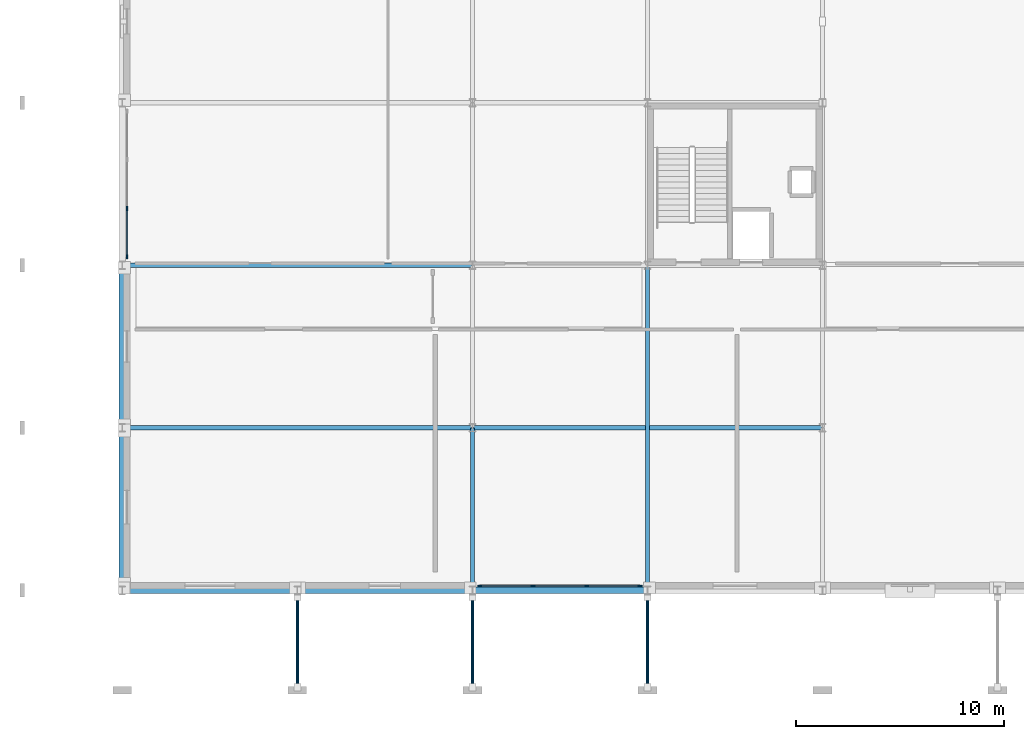
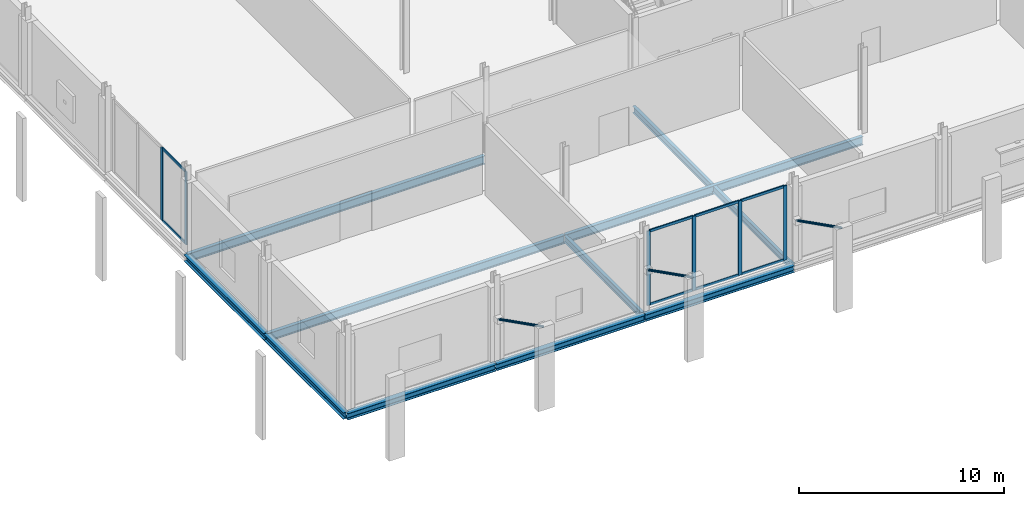
# One storey, part 27 of 105: 17 members, 10 beams, 2 elements without a shape of their own.
"""IFC4 building model written with IfcOpenShell, lengths in metres."""

from ifc_helpers import new_model, si_unit, direction, frame, origin, origin_2d, place, context, subcontext, project, spatial, rectangle, hollow_circle, i_section, extrude, material, material_profile, profile_set, type_object, element, aggregate, save


model = new_model("IFC4")

# Units and contexts
model_context = context("Model", 3, precision=1e-05, world=origin(), true_north=direction((0.0, 1.0)))
body_context = subcontext(model_context, "Body", "Model", "MODEL_VIEW")
ifc_project = project(units=[si_unit("LENGTHUNIT", "METRE"), si_unit("AREAUNIT", "SQUARE_METRE"), si_unit("VOLUMEUNIT", "CUBIC_METRE"), si_unit("PLANEANGLEUNIT", "RADIAN"), si_unit("MASSUNIT", "GRAM", prefix="KILO")], contexts=[model_context])

# Site, building, storey
site_placement = place(None, origin())
site = spatial("IfcSite", under=ifc_project, at=site_placement, CompositionType="ELEMENT")
building_placement = place(site_placement, origin())
building = spatial("IfcBuilding", under=site, at=building_placement, Name="Nabrawat Pavilion Hospital", CompositionType="ELEMENT")
storey_placement = place(building_placement, frame((0.0, 0.0, 5.10009765625)))
storey = spatial("IfcBuildingStorey", under=building, at=storey_placement, Name="L01", CompositionType="ELEMENT", Elevation=5.10009765625)

# Members
ifc_material_1 = material(Name="Steel S355", Category="steel")
ifc_material_profile_1 = material_profile(ifc_material_1, hollow_circle(Radius=0.06982421875, WallThickness=0.008056640625, at=origin_2d()), Name="CHS 139.7x8")
ifc_profile_set_1 = profile_set([ifc_material_profile_1], Name="Steel S355")
member_type_1 = type_object("IfcMemberType", Name="Canopy Eave Tie Strut CHS 139.7x8", PredefinedType="STRUT", material=ifc_profile_set_1)
for number, where, z_axis, x_axis, name in (
    (1, (8.39990234375, -0.320068359375, 2.5498046875), (0.0, -0.892334452398, 0.451374816603), (1.0, 0.0, 0.0), "South Arcade Canopy Diagonal Strut 01"),
    (2, (16.800048828125, -0.320068359375, 2.5498046875), (0.0, -0.892334452398, 0.451374816603), (1.0, 0.0, 0.0), "South Arcade Canopy Diagonal Strut 02"),
    (3, (25.199951171875, -0.320068359375, 2.5498046875), (0.0, -0.892334452398, 0.451374816603), (1.0, 0.0, 0.0), "South Arcade Canopy Diagonal Strut 03"),
):
    element("IfcMember", number, at=place(storey_placement, frame(where, z_axis=z_axis, x_axis=x_axis)), inside=storey, type_object=member_type_1, Name=name, PredefinedType="STRUT", context=body_context, shape_type="SweptSolid", body=[
        extrude(hollow_circle(Radius=0.06982421875, WallThickness=0.008056640625, at=origin_2d()), origin(), (0.0, 0.0, 1.0), 4.852294921875),
    ])

# Curtain wall, members
ifc_material_2 = material(Name="Anodised Aluminium", Category="aluminium")
curtain_wall_type = type_object("IfcCurtainWallType", Name="Emergency Concourse Glazed Screen", PredefinedType="USERDEFINED", material=ifc_material_2)
curtain_wall_1_placement = place(storey_placement, origin())
curtain_wall_1 = element("IfcCurtainWall", 4, at=curtain_wall_1_placement, inside=storey, type_object=curtain_wall_type, Name="L01 Emergency Concourse Glazed Screen 029", ObjectType="CURTAIN WALL", PredefinedType="USERDEFINED")
ifc_material_profile_2 = material_profile(ifc_material_2, rectangle(XDim=0.070068359375, YDim=0.199951171875, at=origin_2d()), Name="CWM 70x200")
ifc_profile_set_2 = profile_set([ifc_material_profile_2], Name="Anodised Aluminium")
member_type_2 = type_object("IfcMemberType", Name="Emergency Concourse Glazed Screen Mullion CWM 70x200", PredefinedType="MULLION", material=ifc_profile_set_2)
member_1_placement = place(storey_placement, frame((0.219970703125, 16.0048828125, 0.0), z_axis=(0.0, 0.0, 1.0), x_axis=(-1.0, 0.0, 0.0)))
member_1 = element("IfcMember", 5, at=member_1_placement, type_object=member_type_2, Name="CW-ED-01 mullion 1", PredefinedType="MULLION", context=body_context, shape_type="SweptSolid", body=[
    extrude(rectangle(XDim=0.070068359375, YDim=0.199951171875, at=origin_2d()), origin(), (0.0, 0.0, 1.0), 4.329833984375),
])
member_2_placement = place(storey_placement, frame((0.219970703125, 18.3232421875, 0.0), z_axis=(0.0, 0.0, 1.0), x_axis=(-1.0, 0.0, 0.0)))
member_2 = element("IfcMember", 6, at=member_2_placement, type_object=member_type_2, Name="CW-ED-01 mullion 2", PredefinedType="MULLION", context=body_context, shape_type="SweptSolid", body=[
    extrude(rectangle(XDim=0.070068359375, YDim=0.199951171875, at=origin_2d()), origin(), (0.0, 0.0, 1.0), 4.329833984375),
])

curtain_wall_2_placement = place(storey_placement, origin())
curtain_wall_2 = element("IfcCurtainWall", 7, at=curtain_wall_2_placement, inside=storey, type_object=curtain_wall_type, Name="L01 Emergency Concourse Glazed Screen 030", ObjectType="CURTAIN WALL", PredefinedType="USERDEFINED")
member_3_placement = place(storey_placement, frame((17.155029296875, 0.219970703125, 0.0), z_axis=(0.0, 0.0, 1.0), x_axis=(0.0, 1.0, 0.0)))
member_3 = element("IfcMember", 8, at=member_3_placement, type_object=member_type_2, Name="CW-ED-01 mullion 1", PredefinedType="MULLION", context=body_context, shape_type="SweptSolid", body=[
    extrude(rectangle(XDim=0.070068359375, YDim=0.199951171875, at=origin_2d()), origin(), (0.0, 0.0, 1.0), 4.429931640625),
])
member_4_placement = place(storey_placement, frame((19.706787109375, 0.219970703125, 0.0), z_axis=(0.0, 0.0, 1.0), x_axis=(0.0, 1.0, 0.0)))
member_4 = element("IfcMember", 9, at=member_4_placement, type_object=member_type_2, Name="CW-ED-01 mullion 2", PredefinedType="MULLION", context=body_context, shape_type="SweptSolid", body=[
    extrude(rectangle(XDim=0.070068359375, YDim=0.199951171875, at=origin_2d()), origin(), (0.0, 0.0, 1.0), 4.429931640625),
])
member_5_placement = place(storey_placement, frame((22.293212890625, 0.219970703125, 0.0), z_axis=(0.0, 0.0, 1.0), x_axis=(0.0, 1.0, 0.0)))
member_5 = element("IfcMember", 10, at=member_5_placement, type_object=member_type_2, Name="CW-ED-01 mullion 3", PredefinedType="MULLION", context=body_context, shape_type="SweptSolid", body=[
    extrude(rectangle(XDim=0.070068359375, YDim=0.199951171875, at=origin_2d()), origin(), (0.0, 0.0, 1.0), 4.429931640625),
])
member_6_placement = place(storey_placement, frame((24.844970703125, 0.219970703125, 0.0), z_axis=(0.0, 0.0, 1.0), x_axis=(0.0, 1.0, 0.0)))
member_6 = element("IfcMember", 11, at=member_6_placement, type_object=member_type_2, Name="CW-ED-01 mullion 4", PredefinedType="MULLION", context=body_context, shape_type="SweptSolid", body=[
    extrude(rectangle(XDim=0.070068359375, YDim=0.199951171875, at=origin_2d()), origin(), (0.0, 0.0, 1.0), 4.429931640625),
])

# Member
ifc_material_profile_3 = material_profile(ifc_material_2, rectangle(XDim=0.070068359375, YDim=0.14990234375, at=origin_2d()), Name="CWT 70x150")
ifc_profile_set_3 = profile_set([ifc_material_profile_3], Name="Anodised Aluminium")
member_type_3 = type_object("IfcMemberType", Name="Emergency Concourse Glazed Screen Transom CWT 70x150", PredefinedType="USERDEFINED", material=ifc_profile_set_3)
member_7_placement = place(storey_placement, frame((0.219970703125, 16.0400390625, 0.034912109375), z_axis=(0.0, 1.0, 0.0), x_axis=(-1.0, 0.0, 0.0)))
member_7 = element("IfcMember", 12, at=member_7_placement, type_object=member_type_3, Name="CW-ED-01 transom 1.1", ObjectType="TRANSOM", PredefinedType="USERDEFINED", context=body_context, shape_type="SweptSolid", body=[
    extrude(rectangle(XDim=0.070068359375, YDim=0.14990234375, at=origin_2d()), origin(), (0.0, 0.0, 1.0), 2.248291015625),
])

member_8_placement = place(storey_placement, frame((0.219970703125, 16.0400390625, 4.294921875), z_axis=(0.0, 1.0, 0.0), x_axis=(-1.0, 0.0, 0.0)))
member_8 = element("IfcMember", 13, at=member_8_placement, type_object=member_type_3, Name="CW-ED-01 transom 1.2", ObjectType="TRANSOM", PredefinedType="USERDEFINED", context=body_context, shape_type="SweptSolid", body=[
    extrude(rectangle(XDim=0.070068359375, YDim=0.14990234375, at=origin_2d()), origin(), (0.0, 0.0, 1.0), 2.248291015625),
])

aggregate(curtain_wall_1, [member_1, member_2, member_7, member_8])

member_9_placement = place(storey_placement, frame((17.18994140625, 0.219970703125, 0.034912109375), z_axis=(1.0, 0.0, 0.0), x_axis=(0.0, 1.0, 0.0)))
member_9 = element("IfcMember", 14, at=member_9_placement, type_object=member_type_3, Name="CW-ED-01 transom 1.1", ObjectType="TRANSOM", PredefinedType="USERDEFINED", context=body_context, shape_type="SweptSolid", body=[
    extrude(rectangle(XDim=0.070068359375, YDim=0.14990234375, at=origin_2d()), origin(), (0.0, 0.0, 1.0), 2.481689453125),
])

member_10_placement = place(storey_placement, frame((17.18994140625, 0.219970703125, 4.39501953125), z_axis=(1.0, 0.0, 0.0), x_axis=(0.0, 1.0, 0.0)))
member_10 = element("IfcMember", 15, at=member_10_placement, type_object=member_type_3, Name="CW-ED-01 transom 1.2", ObjectType="TRANSOM", PredefinedType="USERDEFINED", context=body_context, shape_type="SweptSolid", body=[
    extrude(rectangle(XDim=0.070068359375, YDim=0.14990234375, at=origin_2d()), origin(), (0.0, 0.0, 1.0), 2.481689453125),
])

member_11_placement = place(storey_placement, frame((19.74169921875, 0.219970703125, 0.034912109375), z_axis=(1.0, 0.0, 0.0), x_axis=(0.0, 1.0, 0.0)))
member_11 = element("IfcMember", 16, at=member_11_placement, type_object=member_type_3, Name="CW-ED-01 transom 2.1", ObjectType="TRANSOM", PredefinedType="USERDEFINED", context=body_context, shape_type="SweptSolid", body=[
    extrude(rectangle(XDim=0.070068359375, YDim=0.14990234375, at=origin_2d()), origin(), (0.0, 0.0, 1.0), 2.5166015625),
])

member_12_placement = place(storey_placement, frame((19.74169921875, 0.219970703125, 4.39501953125), z_axis=(1.0, 0.0, 0.0), x_axis=(0.0, 1.0, 0.0)))
member_12 = element("IfcMember", 17, at=member_12_placement, type_object=member_type_3, Name="CW-ED-01 transom 2.2", ObjectType="TRANSOM", PredefinedType="USERDEFINED", context=body_context, shape_type="SweptSolid", body=[
    extrude(rectangle(XDim=0.070068359375, YDim=0.14990234375, at=origin_2d()), origin(), (0.0, 0.0, 1.0), 2.5166015625),
])

member_13_placement = place(storey_placement, frame((22.328369140625, 0.219970703125, 0.034912109375), z_axis=(1.0, 0.0, 0.0), x_axis=(0.0, 1.0, 0.0)))
member_13 = element("IfcMember", 18, at=member_13_placement, type_object=member_type_3, Name="CW-ED-01 transom 3.1", ObjectType="TRANSOM", PredefinedType="USERDEFINED", context=body_context, shape_type="SweptSolid", body=[
    extrude(rectangle(XDim=0.070068359375, YDim=0.14990234375, at=origin_2d()), origin(), (0.0, 0.0, 1.0), 2.481689453125),
])

member_14_placement = place(storey_placement, frame((22.328369140625, 0.219970703125, 4.39501953125), z_axis=(1.0, 0.0, 0.0), x_axis=(0.0, 1.0, 0.0)))
member_14 = element("IfcMember", 19, at=member_14_placement, type_object=member_type_3, Name="CW-ED-01 transom 3.2", ObjectType="TRANSOM", PredefinedType="USERDEFINED", context=body_context, shape_type="SweptSolid", body=[
    extrude(rectangle(XDim=0.070068359375, YDim=0.14990234375, at=origin_2d()), origin(), (0.0, 0.0, 1.0), 2.481689453125),
])

aggregate(curtain_wall_2, [member_3, member_4, member_5, member_6, member_9, member_10, member_11, member_12, member_13, member_14])

# Beams
ifc_material_profile_4 = material_profile(ifc_material_1, i_section(OverallWidth=0.300048828125, OverallDepth=0.389892578125, WebThickness=0.010986328125, FlangeThickness=0.01904296875, FilletRadius=0.027099609375, at=origin_2d()), Name="HEA 400")
ifc_profile_set_4 = profile_set([ifc_material_profile_4], Name="Steel S355")
beam_type_1 = type_object("IfcBeamType", Name="Perimeter Moment Spandrel Beam HEA 400", PredefinedType="SPANDREL", material=ifc_profile_set_4)
beam_1_placement = place(storey_placement, frame((0.02001953125, 0.0, -0.445068359375), z_axis=(1.0, 0.0, 0.0), x_axis=(0.0, 1.0, 0.0)))
element("IfcBeam", 20, at=beam_1_placement, inside=storey, type_object=beam_type_1, Name="L01 Primary X Girder 449", PredefinedType="SPANDREL", context=body_context, shape_type="SweptSolid", body=[
    extrude(i_section(OverallWidth=0.300048828125, OverallDepth=0.389892578125, WebThickness=0.010986328125, FlangeThickness=0.01904296875, FilletRadius=0.027099609375, at=origin_2d()), origin(), (0.0, 0.0, 1.0), 8.35986328125),
])
beam_2_placement = place(storey_placement, frame((8.419921875, 0.0, -0.445068359375), z_axis=(1.0, 0.0, 0.0), x_axis=(0.0, 1.0, 0.0)))
element("IfcBeam", 21, at=beam_2_placement, inside=storey, type_object=beam_type_1, Name="L01 Primary X Girder 450", PredefinedType="SPANDREL", context=body_context, shape_type="SweptSolid", body=[
    extrude(i_section(OverallWidth=0.300048828125, OverallDepth=0.389892578125, WebThickness=0.010986328125, FlangeThickness=0.01904296875, FilletRadius=0.027099609375, at=origin_2d()), origin(), (0.0, 0.0, 1.0), 8.360107421875),
])
beam_3_placement = place(storey_placement, frame((16.820068359375, 0.0, -0.445068359375), z_axis=(1.0, 0.0, 0.0), x_axis=(0.0, 1.0, 0.0)))
element("IfcBeam", 22, at=beam_3_placement, inside=storey, type_object=beam_type_1, Name="L01 Primary X Girder 451", PredefinedType="SPANDREL", context=body_context, shape_type="SweptSolid", body=[
    extrude(i_section(OverallWidth=0.300048828125, OverallDepth=0.389892578125, WebThickness=0.010986328125, FlangeThickness=0.01904296875, FilletRadius=0.027099609375, at=origin_2d()), origin(), (0.0, 0.0, 1.0), 8.35986328125),
])
for number, where, z_axis, x_axis, name in (
    (23, (0.0, 0.02001953125, -0.445068359375), (0.0, 1.0, 0.0), (-1.0, 0.0, 0.0), "L01 Primary Y Beam 694"),
    (24, (0.0, 7.820068359375, -0.445068359375), (0.0, 1.0, 0.0), (-1.0, 0.0, 0.0), "L01 Primary Y Beam 695"),
):
    element("IfcBeam", number, at=place(storey_placement, frame(where, z_axis=z_axis, x_axis=x_axis)), inside=storey, type_object=beam_type_1, Name=name, PredefinedType="SPANDREL", context=body_context, shape_type="SweptSolid", body=[
        extrude(i_section(OverallWidth=0.300048828125, OverallDepth=0.389892578125, WebThickness=0.010986328125, FlangeThickness=0.01904296875, FilletRadius=0.027099609375, at=origin_2d()), origin(), (0.0, 0.0, 1.0), 7.760009765625),
    ])
ifc_material_profile_5 = material_profile(ifc_material_1, i_section(OverallWidth=0.199951171875, OverallDepth=0.5, WebThickness=0.01025390625, FlangeThickness=0.01611328125, FilletRadius=0.02099609375, at=origin_2d()), Name="IPE 500")
ifc_profile_set_5 = profile_set([ifc_material_profile_5], Name="Steel S355")
beam_type_2 = type_object("IfcBeamType", Name="Standard X Floor Girder IPE 500", PredefinedType="USERDEFINED", material=ifc_profile_set_5)
for number, where, z_axis, x_axis, name in (
    (25, (0.02001953125, 7.800048828125, -0.5), (1.0, 0.0, 0.0), (0.0, 1.0, 0.0), "L01 Primary X Girder 464"),
    (26, (16.820068359375, 7.800048828125, -0.5), (1.0, 0.0, 0.0), (0.0, 1.0, 0.0), "L01 Primary X Girder 465"),
    (27, (0.02001953125, 15.60009765625, -0.5), (1.0, 0.0, 0.0), (0.0, 1.0, 0.0), "L01 Primary X Girder 472"),
):
    element("IfcBeam", number, at=place(storey_placement, frame(where, z_axis=z_axis, x_axis=x_axis)), inside=storey, type_object=beam_type_2, Name=name, ObjectType="GIRDER", PredefinedType="USERDEFINED", context=body_context, shape_type="SweptSolid", body=[
        extrude(i_section(OverallWidth=0.199951171875, OverallDepth=0.5, WebThickness=0.01025390625, FlangeThickness=0.01611328125, FilletRadius=0.02099609375, at=origin_2d()), origin(), (0.0, 0.0, 1.0), 16.760009765625),
    ])
ifc_material_profile_6 = material_profile(ifc_material_1, i_section(OverallWidth=0.179931640625, OverallDepth=0.39990234375, WebThickness=0.008544921875, FlangeThickness=0.013427734375, FilletRadius=0.02099609375, at=origin_2d()), Name="IPE 400")
ifc_profile_set_6 = profile_set([ifc_material_profile_6], Name="Steel S355")
beam_type_3 = type_object("IfcBeamType", Name="Standard Y Floor Beam IPE 400", PredefinedType="BEAM", material=ifc_profile_set_6)
beam_4_placement = place(storey_placement, frame((16.800048828125, 0.02001953125, -0.4501953125), z_axis=(0.0, 1.0, 0.0), x_axis=(-1.0, 0.0, 0.0)))
element("IfcBeam", 28, at=beam_4_placement, inside=storey, type_object=beam_type_3, Name="L01 Primary Y Beam 709", PredefinedType="BEAM", context=body_context, shape_type="SweptSolid", body=[
    extrude(i_section(OverallWidth=0.179931640625, OverallDepth=0.39990234375, WebThickness=0.008544921875, FlangeThickness=0.013427734375, FilletRadius=0.02099609375, at=origin_2d()), origin(), (0.0, 0.0, 1.0), 7.760009765625),
])
beam_5_placement = place(storey_placement, frame((25.199951171875, 0.02001953125, -0.4501953125), z_axis=(0.0, 1.0, 0.0), x_axis=(-1.0, 0.0, 0.0)))
element("IfcBeam", 29, at=beam_5_placement, inside=storey, type_object=beam_type_3, Name="L01 Primary Y Beam 724", PredefinedType="BEAM", context=body_context, shape_type="SweptSolid", body=[
    extrude(i_section(OverallWidth=0.179931640625, OverallDepth=0.39990234375, WebThickness=0.008544921875, FlangeThickness=0.013427734375, FilletRadius=0.02099609375, at=origin_2d()), origin(), (0.0, 0.0, 1.0), 15.56005859375),
])

save(model, "model.ifc")
